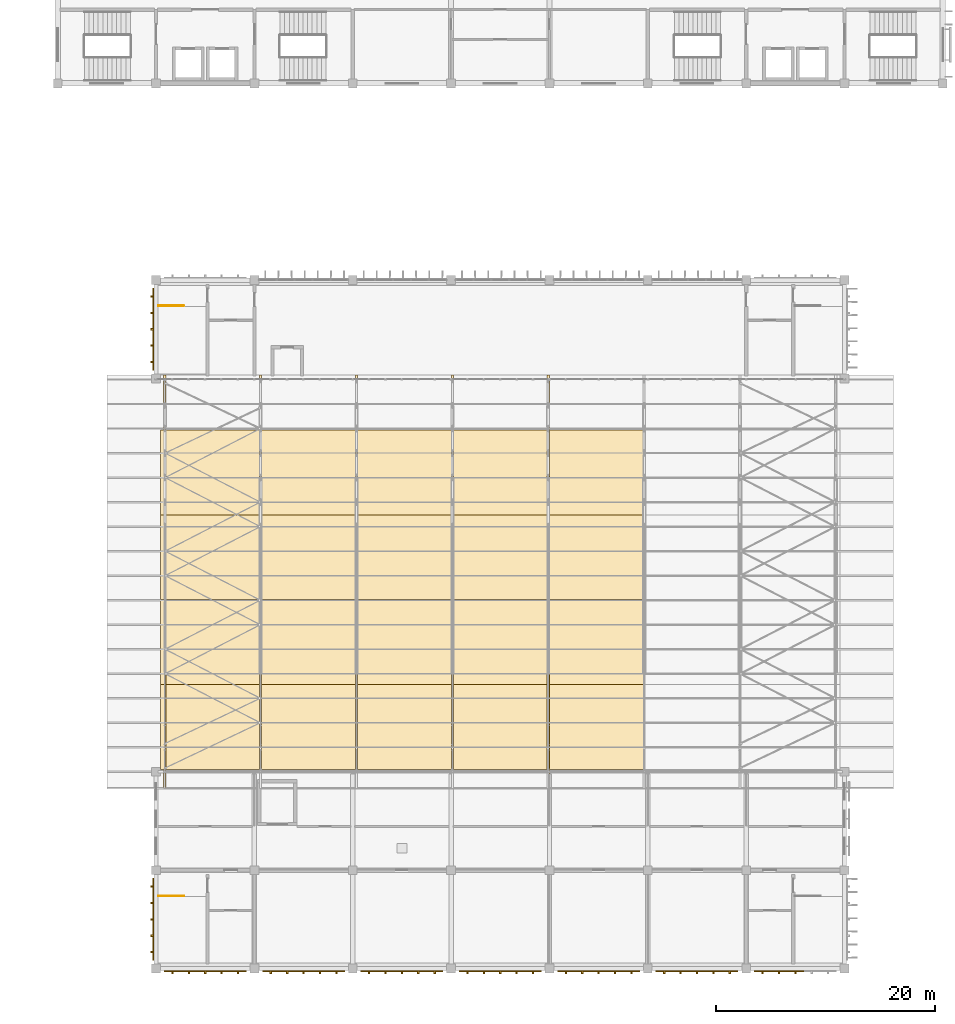
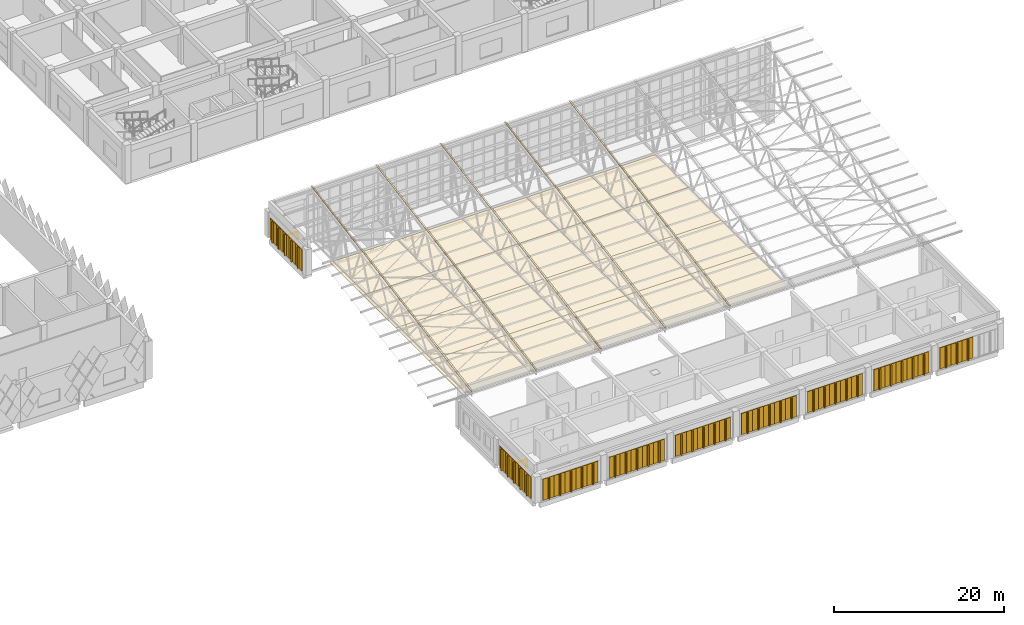
# One storey, part 179 of 185: 72 coverings, 2 railings.
"""IFC4 building model written with IfcOpenShell, lengths in metres."""

from ifc_helpers import new_model, si_unit, direction, frame, origin, origin_2d, place, context, subcontext, project, spatial, polyline, rectangle, circle, outline, extrude, material, layer, layer_set, constituent, constituent_set, type_object, element, save


model = new_model("IFC4")

# Units and contexts
model_context = context("Model", 3, precision=1e-05, world=origin(), true_north=direction((0.0, 1.0)))
body_context = subcontext(model_context, "Body", "Model", "MODEL_VIEW")
ifc_project = project(units=[si_unit("LENGTHUNIT", "METRE"), si_unit("AREAUNIT", "SQUARE_METRE"), si_unit("VOLUMEUNIT", "CUBIC_METRE"), si_unit("PLANEANGLEUNIT", "RADIAN"), si_unit("MASSUNIT", "GRAM", prefix="KILO")], contexts=[model_context])

# Site, building, storey
site_placement = place(None, origin())
site = spatial("IfcSite", under=ifc_project, at=site_placement, CompositionType="ELEMENT")
building_placement = place(site_placement, origin())
building = spatial("IfcBuilding", under=site, at=building_placement, Name="Opaline Strait Convention Centre", CompositionType="ELEMENT")
storey_placement = place(building_placement, frame((0.0, 0.0, 6.0)))
storey = spatial("IfcBuildingStorey", under=building, at=storey_placement, Name="L01", CompositionType="ELEMENT", Elevation=6.0)

# Railings
ifc_material_1 = material(Name="Steel Q235B", Category="steel")
ifc_constituent_1 = constituent(ifc_material_1, Name="Frame")
ifc_material_2 = material(Name="Safety glass, bonded interlayer", Category="glass")
ifc_constituent_2 = constituent(ifc_material_2, Name="Infill")
ifc_constituent_set = constituent_set(constituents=[ifc_constituent_1, ifc_constituent_2], Name="Steel Q235B, Safety glass, bonded interlayer")
railing_type = type_object("IfcRailingType", Name="Guard 1100 steel and glass", PredefinedType="GUARDRAIL", material=ifc_constituent_set)
for number, where, name in (
    (1, (288.199951171875, 69.64990234375, 0.0), "L01 B-STNW top well guard 1"),
    (2, (288.199951171875, 15.64990234375, 0.0), "L01 B-STSW top well guard 1"),
):
    element("IfcRailing", number, at=place(storey_placement, frame(where)), inside=storey, type_object=railing_type, Name=name, PredefinedType="GUARDRAIL", context=body_context, shape_type="SweptSolid", body=[
        extrude(circle(Radius=0.02392578125, at=origin_2d()), frame((0.0, 0.0, 1.076171875), z_axis=(1.0, 0.0, 0.0), x_axis=(0.0, 1.0, 0.0)), (0.0, 0.0, 1.0), 2.35009765625),
        extrude(circle(Radius=0.02099609375, at=origin_2d()), origin(), (0.0, 0.0, 1.0), 1.052001953125),
        extrude(circle(Radius=0.02099609375, at=origin_2d()), frame((1.175048828125, 0.0, 0.0)), (0.0, 0.0, 1.0), 1.052001953125),
        extrude(circle(Radius=0.02099609375, at=origin_2d()), frame((2.35009765625, 0.0, 0.0)), (0.0, 0.0, 1.0), 1.052001953125),
    ])

# Coverings
ifc_material_3 = material(Name="Acoustic mineral fibre ceiling panel, white")
ifc_layer_1 = layer(ifc_material_3, 0.10009765625)
ifc_layer_set_1 = layer_set([ifc_layer_1], Name="Acoustic mineral fibre ceiling panel, white")
covering_type_1 = type_object("IfcCoveringType", Name="Hall acoustic ceiling panel 100", PredefinedType="CEILING", material=ifc_layer_set_1)
for number, where, z_axis, x_axis, name in (
    (3, (288.60009765625, 31.08740234375, 4.224853515625), (0.0, 0.0, 1.0), (1.0, 0.0, 0.0), "BK1 hall ceiling panel 1.1"),
    (4, (288.60009765625, 38.862548828125, 4.224853515625), (0.0, 0.0, 1.0), (1.0, 0.0, 0.0), "BK1 hall ceiling panel 2.1"),
    (5, (288.60009765625, 46.637451171875, 4.224853515625), (0.0, 0.0, 1.0), (1.0, 0.0, 0.0), "BK1 hall ceiling panel 3.1"),
    (6, (288.60009765625, 54.41259765625, 4.224853515625), (0.0, 0.0, 1.0), (1.0, 0.0, 0.0), "BK1 hall ceiling panel 4.1"),
):
    element("IfcCovering", number, at=place(storey_placement, frame(where, z_axis=z_axis, x_axis=x_axis)), inside=storey, type_object=covering_type_1, Name=name, PredefinedType="CEILING", context=body_context, shape_type="SweptSolid", body=[
        extrude(rectangle(XDim=0.39990234375, YDim=7.77490234375, at=origin_2d()), origin(), (0.0, 0.0, 1.0), 0.10009765625),
    ])
for number, where, z_axis, x_axis, name in (
    (7, (293.185791015625, 31.08740234375, 4.224853515625), (0.0, 0.0, 1.0), (1.0, 0.0, 0.0), "BK1 hall ceiling panel 1.2"),
    (8, (293.185791015625, 38.862548828125, 4.224853515625), (0.0, 0.0, 1.0), (1.0, 0.0, 0.0), "BK1 hall ceiling panel 2.2"),
    (9, (293.185791015625, 46.637451171875, 4.224853515625), (0.0, 0.0, 1.0), (1.0, 0.0, 0.0), "BK1 hall ceiling panel 3.2"),
    (10, (293.185791015625, 54.41259765625, 4.224853515625), (0.0, 0.0, 1.0), (1.0, 0.0, 0.0), "BK1 hall ceiling panel 4.2"),
    (11, (301.95703125, 31.08740234375, 4.224853515625), (0.0, 0.0, 1.0), (1.0, 0.0, 0.0), "BK1 hall ceiling panel 1.3"),
    (12, (301.95703125, 38.862548828125, 4.224853515625), (0.0, 0.0, 1.0), (1.0, 0.0, 0.0), "BK1 hall ceiling panel 2.3"),
    (13, (301.95703125, 46.637451171875, 4.224853515625), (0.0, 0.0, 1.0), (1.0, 0.0, 0.0), "BK1 hall ceiling panel 3.3"),
    (14, (301.95703125, 54.41259765625, 4.224853515625), (0.0, 0.0, 1.0), (1.0, 0.0, 0.0), "BK1 hall ceiling panel 4.3"),
    (15, (310.728515625, 31.08740234375, 4.224853515625), (0.0, 0.0, 1.0), (1.0, 0.0, 0.0), "BK1 hall ceiling panel 1.4"),
    (16, (310.728515625, 38.862548828125, 4.224853515625), (0.0, 0.0, 1.0), (1.0, 0.0, 0.0), "BK1 hall ceiling panel 2.4"),
    (17, (310.728515625, 46.637451171875, 4.224853515625), (0.0, 0.0, 1.0), (1.0, 0.0, 0.0), "BK1 hall ceiling panel 3.4"),
    (18, (310.728515625, 54.41259765625, 4.224853515625), (0.0, 0.0, 1.0), (1.0, 0.0, 0.0), "BK1 hall ceiling panel 4.4"),
    (19, (319.5, 31.08740234375, 4.224853515625), (0.0, 0.0, 1.0), (1.0, 0.0, 0.0), "BK1 hall ceiling panel 1.5"),
    (20, (319.5, 38.862548828125, 4.224853515625), (0.0, 0.0, 1.0), (1.0, 0.0, 0.0), "BK1 hall ceiling panel 2.5"),
    (21, (319.5, 46.637451171875, 4.224853515625), (0.0, 0.0, 1.0), (1.0, 0.0, 0.0), "BK1 hall ceiling panel 3.5"),
    (22, (319.5, 54.41259765625, 4.224853515625), (0.0, 0.0, 1.0), (1.0, 0.0, 0.0), "BK1 hall ceiling panel 4.5"),
    (23, (328.271484375, 31.08740234375, 4.224853515625), (0.0, 0.0, 1.0), (1.0, 0.0, 0.0), "BK1 hall ceiling panel 1.6"),
    (24, (328.271484375, 38.862548828125, 4.224853515625), (0.0, 0.0, 1.0), (1.0, 0.0, 0.0), "BK1 hall ceiling panel 2.6"),
    (25, (328.271484375, 46.637451171875, 4.224853515625), (0.0, 0.0, 1.0), (1.0, 0.0, 0.0), "BK1 hall ceiling panel 3.6"),
    (26, (328.271484375, 54.41259765625, 4.224853515625), (0.0, 0.0, 1.0), (1.0, 0.0, 0.0), "BK1 hall ceiling panel 4.6"),
):
    element("IfcCovering", number, at=place(storey_placement, frame(where, z_axis=z_axis, x_axis=x_axis)), inside=storey, type_object=covering_type_1, Name=name, PredefinedType="CEILING", context=body_context, shape_type="SweptSolid", body=[
        extrude(rectangle(XDim=8.771484375, YDim=7.77490234375, at=origin_2d()), origin(), (0.0, 0.0, 1.0), 0.10009765625),
    ])
ifc_material_4 = material(Name="Concrete C40 precast white", Category="concrete")
ifc_layer_2 = layer(ifc_material_4, 0.300048828125)
ifc_layer_set_2 = layer_set([ifc_layer_2], Name="Concrete C40 precast white")
covering_type_2 = type_object("IfcCoveringType", Name="Ribbed precast panel white 1500", PredefinedType="CLADDING", material=ifc_layer_set_2)
covering_1_placement = place(storey_placement, origin())
element("IfcCovering", 27, at=covering_1_placement, inside=storey, type_object=covering_type_2, Name="Ribbed panel L01-W9 1", PredefinedType="CLADDING", context=body_context, shape_type="SweptSolid", body=[
    extrude(outline(polyline([(287.800048828125, 9.75), (287.800048828125, 11.25), (287.719970703125, 11.25), (287.719970703125, 10.574951171875), (287.5, 10.574951171875), (287.5, 10.425048828125), (287.719970703125, 10.425048828125), (287.719970703125, 9.75), (287.800048828125, 9.75)])), origin(), (0.0, 0.0, 1.0), 3.050048828125),
])
covering_2_placement = place(storey_placement, origin())
element("IfcCovering", 28, at=covering_2_placement, inside=storey, type_object=covering_type_2, Name="Ribbed panel L01-W9 2", PredefinedType="CLADDING", context=body_context, shape_type="SweptSolid", body=[
    extrude(outline(polyline([(287.800048828125, 11.25), (287.800048828125, 12.75), (287.719970703125, 12.75), (287.719970703125, 12.074951171875), (287.5, 12.074951171875), (287.5, 11.925048828125), (287.719970703125, 11.925048828125), (287.719970703125, 11.25), (287.800048828125, 11.25)])), origin(), (0.0, 0.0, 1.0), 3.050048828125),
])
covering_3_placement = place(storey_placement, origin())
element("IfcCovering", 29, at=covering_3_placement, inside=storey, type_object=covering_type_2, Name="Ribbed panel L01-W9 3", PredefinedType="CLADDING", context=body_context, shape_type="SweptSolid", body=[
    extrude(outline(polyline([(287.800048828125, 12.75), (287.800048828125, 14.25), (287.719970703125, 14.25), (287.719970703125, 13.574951171875), (287.5, 13.574951171875), (287.5, 13.425048828125), (287.719970703125, 13.425048828125), (287.719970703125, 12.75), (287.800048828125, 12.75)])), origin(), (0.0, 0.0, 1.0), 3.050048828125),
])
covering_4_placement = place(storey_placement, origin())
element("IfcCovering", 30, at=covering_4_placement, inside=storey, type_object=covering_type_2, Name="Ribbed panel L01-W9 4", PredefinedType="CLADDING", context=body_context, shape_type="SweptSolid", body=[
    extrude(outline(polyline([(287.800048828125, 14.25), (287.800048828125, 15.75), (287.719970703125, 15.75), (287.719970703125, 15.074951171875), (287.5, 15.074951171875), (287.5, 14.925048828125), (287.719970703125, 14.925048828125), (287.719970703125, 14.25), (287.800048828125, 14.25)])), origin(), (0.0, 0.0, 1.0), 3.050048828125),
])
covering_5_placement = place(storey_placement, origin())
element("IfcCovering", 31, at=covering_5_placement, inside=storey, type_object=covering_type_2, Name="Ribbed panel L01-W9 5", PredefinedType="CLADDING", context=body_context, shape_type="SweptSolid", body=[
    extrude(outline(polyline([(287.800048828125, 15.75), (287.800048828125, 17.25), (287.719970703125, 17.25), (287.719970703125, 16.574951171875), (287.5, 16.574951171875), (287.5, 16.425048828125), (287.719970703125, 16.425048828125), (287.719970703125, 15.75), (287.800048828125, 15.75)])), origin(), (0.0, 0.0, 1.0), 3.050048828125),
])
covering_6_placement = place(storey_placement, origin())
element("IfcCovering", 32, at=covering_6_placement, inside=storey, type_object=covering_type_2, Name="Ribbed panel L01-W63 1", PredefinedType="CLADDING", context=body_context, shape_type="SweptSolid", body=[
    extrude(outline(polyline([(287.800048828125, 63.75), (287.800048828125, 65.25), (287.719970703125, 65.25), (287.719970703125, 64.574951171875), (287.5, 64.574951171875), (287.5, 64.425048828125), (287.719970703125, 64.425048828125), (287.719970703125, 63.75), (287.800048828125, 63.75)])), origin(), (0.0, 0.0, 1.0), 3.050048828125),
])
covering_7_placement = place(storey_placement, origin())
element("IfcCovering", 33, at=covering_7_placement, inside=storey, type_object=covering_type_2, Name="Ribbed panel L01-W63 2", PredefinedType="CLADDING", context=body_context, shape_type="SweptSolid", body=[
    extrude(outline(polyline([(287.800048828125, 65.25), (287.800048828125, 66.75), (287.719970703125, 66.75), (287.719970703125, 66.074951171875), (287.5, 66.074951171875), (287.5, 65.925048828125), (287.719970703125, 65.925048828125), (287.719970703125, 65.25), (287.800048828125, 65.25)])), origin(), (0.0, 0.0, 1.0), 3.050048828125),
])
covering_8_placement = place(storey_placement, origin())
element("IfcCovering", 34, at=covering_8_placement, inside=storey, type_object=covering_type_2, Name="Ribbed panel L01-W63 3", PredefinedType="CLADDING", context=body_context, shape_type="SweptSolid", body=[
    extrude(outline(polyline([(287.800048828125, 66.75), (287.800048828125, 68.25), (287.719970703125, 68.25), (287.719970703125, 67.574951171875), (287.5, 67.574951171875), (287.5, 67.425048828125), (287.719970703125, 67.425048828125), (287.719970703125, 66.75), (287.800048828125, 66.75)])), origin(), (0.0, 0.0, 1.0), 3.050048828125),
])
covering_9_placement = place(storey_placement, origin())
element("IfcCovering", 35, at=covering_9_placement, inside=storey, type_object=covering_type_2, Name="Ribbed panel L01-W63 4", PredefinedType="CLADDING", context=body_context, shape_type="SweptSolid", body=[
    extrude(outline(polyline([(287.800048828125, 68.25), (287.800048828125, 69.75), (287.719970703125, 69.75), (287.719970703125, 69.074951171875), (287.5, 69.074951171875), (287.5, 68.925048828125), (287.719970703125, 68.925048828125), (287.719970703125, 68.25), (287.800048828125, 68.25)])), origin(), (0.0, 0.0, 1.0), 3.050048828125),
])
covering_10_placement = place(storey_placement, origin())
element("IfcCovering", 36, at=covering_10_placement, inside=storey, type_object=covering_type_2, Name="Ribbed panel L01-W63 5", PredefinedType="CLADDING", context=body_context, shape_type="SweptSolid", body=[
    extrude(outline(polyline([(287.800048828125, 69.75), (287.800048828125, 71.25), (287.719970703125, 71.25), (287.719970703125, 70.574951171875), (287.5, 70.574951171875), (287.5, 70.425048828125), (287.719970703125, 70.425048828125), (287.719970703125, 69.75), (287.800048828125, 69.75)])), origin(), (0.0, 0.0, 1.0), 3.050048828125),
])
covering_11_placement = place(storey_placement, origin())
element("IfcCovering", 37, at=covering_11_placement, inside=storey, type_object=covering_type_2, Name="Ribbed panel L01-S0 1", PredefinedType="CLADDING", context=body_context, shape_type="SweptSolid", body=[
    extrude(outline(polyline([(288.75, 8.800048828125), (290.25, 8.800048828125), (290.25, 8.719970703125), (289.574951171875, 8.719970703125), (289.574951171875, 8.5), (289.425048828125, 8.5), (289.425048828125, 8.719970703125), (288.75, 8.719970703125), (288.75, 8.800048828125)])), origin(), (0.0, 0.0, 1.0), 3.050048828125),
])
covering_12_placement = place(storey_placement, origin())
element("IfcCovering", 38, at=covering_12_placement, inside=storey, type_object=covering_type_2, Name="Ribbed panel L01-S0 2", PredefinedType="CLADDING", context=body_context, shape_type="SweptSolid", body=[
    extrude(outline(polyline([(290.25, 8.800048828125), (291.75, 8.800048828125), (291.75, 8.719970703125), (291.074951171875, 8.719970703125), (291.074951171875, 8.5), (290.925048828125, 8.5), (290.925048828125, 8.719970703125), (290.25, 8.719970703125), (290.25, 8.800048828125)])), origin(), (0.0, 0.0, 1.0), 3.050048828125),
])
covering_13_placement = place(storey_placement, origin())
element("IfcCovering", 39, at=covering_13_placement, inside=storey, type_object=covering_type_2, Name="Ribbed panel L01-S0 3", PredefinedType="CLADDING", context=body_context, shape_type="SweptSolid", body=[
    extrude(outline(polyline([(291.75, 8.800048828125), (293.25, 8.800048828125), (293.25, 8.719970703125), (292.574951171875, 8.719970703125), (292.574951171875, 8.5), (292.425048828125, 8.5), (292.425048828125, 8.719970703125), (291.75, 8.719970703125), (291.75, 8.800048828125)])), origin(), (0.0, 0.0, 1.0), 3.050048828125),
])
covering_14_placement = place(storey_placement, origin())
element("IfcCovering", 40, at=covering_14_placement, inside=storey, type_object=covering_type_2, Name="Ribbed panel L01-S0 4", PredefinedType="CLADDING", context=body_context, shape_type="SweptSolid", body=[
    extrude(outline(polyline([(293.25, 8.800048828125), (294.75, 8.800048828125), (294.75, 8.719970703125), (294.074951171875, 8.719970703125), (294.074951171875, 8.5), (293.925048828125, 8.5), (293.925048828125, 8.719970703125), (293.25, 8.719970703125), (293.25, 8.800048828125)])), origin(), (0.0, 0.0, 1.0), 3.050048828125),
])
covering_15_placement = place(storey_placement, origin())
element("IfcCovering", 41, at=covering_15_placement, inside=storey, type_object=covering_type_2, Name="Ribbed panel L01-S0 5", PredefinedType="CLADDING", context=body_context, shape_type="SweptSolid", body=[
    extrude(outline(polyline([(294.75, 8.800048828125), (296.25, 8.800048828125), (296.25, 8.719970703125), (295.574951171875, 8.719970703125), (295.574951171875, 8.5), (295.425048828125, 8.5), (295.425048828125, 8.719970703125), (294.75, 8.719970703125), (294.75, 8.800048828125)])), origin(), (0.0, 0.0, 1.0), 3.050048828125),
])
covering_16_placement = place(storey_placement, origin())
element("IfcCovering", 42, at=covering_16_placement, inside=storey, type_object=covering_type_2, Name="Ribbed panel L01-S1 1", PredefinedType="CLADDING", context=body_context, shape_type="SweptSolid", body=[
    extrude(outline(polyline([(297.75, 8.800048828125), (299.25, 8.800048828125), (299.25, 8.719970703125), (298.574951171875, 8.719970703125), (298.574951171875, 8.5), (298.425048828125, 8.5), (298.425048828125, 8.719970703125), (297.75, 8.719970703125), (297.75, 8.800048828125)])), origin(), (0.0, 0.0, 1.0), 3.050048828125),
])
covering_17_placement = place(storey_placement, origin())
element("IfcCovering", 43, at=covering_17_placement, inside=storey, type_object=covering_type_2, Name="Ribbed panel L01-S1 2", PredefinedType="CLADDING", context=body_context, shape_type="SweptSolid", body=[
    extrude(outline(polyline([(299.25, 8.800048828125), (300.75, 8.800048828125), (300.75, 8.719970703125), (300.074951171875, 8.719970703125), (300.074951171875, 8.5), (299.925048828125, 8.5), (299.925048828125, 8.719970703125), (299.25, 8.719970703125), (299.25, 8.800048828125)])), origin(), (0.0, 0.0, 1.0), 3.050048828125),
])
covering_18_placement = place(storey_placement, origin())
element("IfcCovering", 44, at=covering_18_placement, inside=storey, type_object=covering_type_2, Name="Ribbed panel L01-S1 3", PredefinedType="CLADDING", context=body_context, shape_type="SweptSolid", body=[
    extrude(outline(polyline([(300.75, 8.800048828125), (302.25, 8.800048828125), (302.25, 8.719970703125), (301.574951171875, 8.719970703125), (301.574951171875, 8.5), (301.425048828125, 8.5), (301.425048828125, 8.719970703125), (300.75, 8.719970703125), (300.75, 8.800048828125)])), origin(), (0.0, 0.0, 1.0), 3.050048828125),
])
covering_19_placement = place(storey_placement, origin())
element("IfcCovering", 45, at=covering_19_placement, inside=storey, type_object=covering_type_2, Name="Ribbed panel L01-S1 4", PredefinedType="CLADDING", context=body_context, shape_type="SweptSolid", body=[
    extrude(outline(polyline([(302.25, 8.800048828125), (303.75, 8.800048828125), (303.75, 8.719970703125), (303.074951171875, 8.719970703125), (303.074951171875, 8.5), (302.925048828125, 8.5), (302.925048828125, 8.719970703125), (302.25, 8.719970703125), (302.25, 8.800048828125)])), origin(), (0.0, 0.0, 1.0), 3.050048828125),
])
covering_20_placement = place(storey_placement, origin())
element("IfcCovering", 46, at=covering_20_placement, inside=storey, type_object=covering_type_2, Name="Ribbed panel L01-S1 5", PredefinedType="CLADDING", context=body_context, shape_type="SweptSolid", body=[
    extrude(outline(polyline([(303.75, 8.800048828125), (305.25, 8.800048828125), (305.25, 8.719970703125), (304.574951171875, 8.719970703125), (304.574951171875, 8.5), (304.425048828125, 8.5), (304.425048828125, 8.719970703125), (303.75, 8.719970703125), (303.75, 8.800048828125)])), origin(), (0.0, 0.0, 1.0), 3.050048828125),
])
covering_21_placement = place(storey_placement, origin())
element("IfcCovering", 47, at=covering_21_placement, inside=storey, type_object=covering_type_2, Name="Ribbed panel L01-S2 1", PredefinedType="CLADDING", context=body_context, shape_type="SweptSolid", body=[
    extrude(outline(polyline([(306.75, 8.800048828125), (308.25, 8.800048828125), (308.25, 8.719970703125), (307.574951171875, 8.719970703125), (307.574951171875, 8.5), (307.425048828125, 8.5), (307.425048828125, 8.719970703125), (306.75, 8.719970703125), (306.75, 8.800048828125)])), origin(), (0.0, 0.0, 1.0), 3.050048828125),
])
covering_22_placement = place(storey_placement, origin())
element("IfcCovering", 48, at=covering_22_placement, inside=storey, type_object=covering_type_2, Name="Ribbed panel L01-S2 2", PredefinedType="CLADDING", context=body_context, shape_type="SweptSolid", body=[
    extrude(outline(polyline([(308.25, 8.800048828125), (309.75, 8.800048828125), (309.75, 8.719970703125), (309.074951171875, 8.719970703125), (309.074951171875, 8.5), (308.925048828125, 8.5), (308.925048828125, 8.719970703125), (308.25, 8.719970703125), (308.25, 8.800048828125)])), origin(), (0.0, 0.0, 1.0), 3.050048828125),
])
covering_23_placement = place(storey_placement, origin())
element("IfcCovering", 49, at=covering_23_placement, inside=storey, type_object=covering_type_2, Name="Ribbed panel L01-S2 3", PredefinedType="CLADDING", context=body_context, shape_type="SweptSolid", body=[
    extrude(outline(polyline([(309.75, 8.800048828125), (311.25, 8.800048828125), (311.25, 8.719970703125), (310.574951171875, 8.719970703125), (310.574951171875, 8.5), (310.425048828125, 8.5), (310.425048828125, 8.719970703125), (309.75, 8.719970703125), (309.75, 8.800048828125)])), origin(), (0.0, 0.0, 1.0), 3.050048828125),
])
covering_24_placement = place(storey_placement, origin())
element("IfcCovering", 50, at=covering_24_placement, inside=storey, type_object=covering_type_2, Name="Ribbed panel L01-S2 4", PredefinedType="CLADDING", context=body_context, shape_type="SweptSolid", body=[
    extrude(outline(polyline([(311.25, 8.800048828125), (312.75, 8.800048828125), (312.75, 8.719970703125), (312.074951171875, 8.719970703125), (312.074951171875, 8.5), (311.925048828125, 8.5), (311.925048828125, 8.719970703125), (311.25, 8.719970703125), (311.25, 8.800048828125)])), origin(), (0.0, 0.0, 1.0), 3.050048828125),
])
covering_25_placement = place(storey_placement, origin())
element("IfcCovering", 51, at=covering_25_placement, inside=storey, type_object=covering_type_2, Name="Ribbed panel L01-S2 5", PredefinedType="CLADDING", context=body_context, shape_type="SweptSolid", body=[
    extrude(outline(polyline([(312.75, 8.800048828125), (314.25, 8.800048828125), (314.25, 8.719970703125), (313.574951171875, 8.719970703125), (313.574951171875, 8.5), (313.425048828125, 8.5), (313.425048828125, 8.719970703125), (312.75, 8.719970703125), (312.75, 8.800048828125)])), origin(), (0.0, 0.0, 1.0), 3.050048828125),
])
covering_26_placement = place(storey_placement, origin())
element("IfcCovering", 52, at=covering_26_placement, inside=storey, type_object=covering_type_2, Name="Ribbed panel L01-S3 1", PredefinedType="CLADDING", context=body_context, shape_type="SweptSolid", body=[
    extrude(outline(polyline([(315.75, 8.800048828125), (317.25, 8.800048828125), (317.25, 8.719970703125), (316.574951171875, 8.719970703125), (316.574951171875, 8.5), (316.425048828125, 8.5), (316.425048828125, 8.719970703125), (315.75, 8.719970703125), (315.75, 8.800048828125)])), origin(), (0.0, 0.0, 1.0), 3.050048828125),
])
covering_27_placement = place(storey_placement, origin())
element("IfcCovering", 53, at=covering_27_placement, inside=storey, type_object=covering_type_2, Name="Ribbed panel L01-S3 2", PredefinedType="CLADDING", context=body_context, shape_type="SweptSolid", body=[
    extrude(outline(polyline([(317.25, 8.800048828125), (318.75, 8.800048828125), (318.75, 8.719970703125), (318.074951171875, 8.719970703125), (318.074951171875, 8.5), (317.925048828125, 8.5), (317.925048828125, 8.719970703125), (317.25, 8.719970703125), (317.25, 8.800048828125)])), origin(), (0.0, 0.0, 1.0), 3.050048828125),
])
covering_28_placement = place(storey_placement, origin())
element("IfcCovering", 54, at=covering_28_placement, inside=storey, type_object=covering_type_2, Name="Ribbed panel L01-S3 3", PredefinedType="CLADDING", context=body_context, shape_type="SweptSolid", body=[
    extrude(outline(polyline([(318.75, 8.800048828125), (320.25, 8.800048828125), (320.25, 8.719970703125), (319.574951171875, 8.719970703125), (319.574951171875, 8.5), (319.425048828125, 8.5), (319.425048828125, 8.719970703125), (318.75, 8.719970703125), (318.75, 8.800048828125)])), origin(), (0.0, 0.0, 1.0), 3.050048828125),
])
covering_29_placement = place(storey_placement, origin())
element("IfcCovering", 55, at=covering_29_placement, inside=storey, type_object=covering_type_2, Name="Ribbed panel L01-S3 4", PredefinedType="CLADDING", context=body_context, shape_type="SweptSolid", body=[
    extrude(outline(polyline([(320.25, 8.800048828125), (321.75, 8.800048828125), (321.75, 8.719970703125), (321.074951171875, 8.719970703125), (321.074951171875, 8.5), (320.925048828125, 8.5), (320.925048828125, 8.719970703125), (320.25, 8.719970703125), (320.25, 8.800048828125)])), origin(), (0.0, 0.0, 1.0), 3.050048828125),
])
covering_30_placement = place(storey_placement, origin())
element("IfcCovering", 56, at=covering_30_placement, inside=storey, type_object=covering_type_2, Name="Ribbed panel L01-S3 5", PredefinedType="CLADDING", context=body_context, shape_type="SweptSolid", body=[
    extrude(outline(polyline([(321.75, 8.800048828125), (323.25, 8.800048828125), (323.25, 8.719970703125), (322.574951171875, 8.719970703125), (322.574951171875, 8.5), (322.425048828125, 8.5), (322.425048828125, 8.719970703125), (321.75, 8.719970703125), (321.75, 8.800048828125)])), origin(), (0.0, 0.0, 1.0), 3.050048828125),
])
covering_31_placement = place(storey_placement, origin())
element("IfcCovering", 57, at=covering_31_placement, inside=storey, type_object=covering_type_2, Name="Ribbed panel L01-S4 1", PredefinedType="CLADDING", context=body_context, shape_type="SweptSolid", body=[
    extrude(outline(polyline([(324.75, 8.800048828125), (326.25, 8.800048828125), (326.25, 8.719970703125), (325.574951171875, 8.719970703125), (325.574951171875, 8.5), (325.425048828125, 8.5), (325.425048828125, 8.719970703125), (324.75, 8.719970703125), (324.75, 8.800048828125)])), origin(), (0.0, 0.0, 1.0), 3.050048828125),
])
covering_32_placement = place(storey_placement, origin())
element("IfcCovering", 58, at=covering_32_placement, inside=storey, type_object=covering_type_2, Name="Ribbed panel L01-S4 2", PredefinedType="CLADDING", context=body_context, shape_type="SweptSolid", body=[
    extrude(outline(polyline([(326.25, 8.800048828125), (327.75, 8.800048828125), (327.75, 8.719970703125), (327.074951171875, 8.719970703125), (327.074951171875, 8.5), (326.925048828125, 8.5), (326.925048828125, 8.719970703125), (326.25, 8.719970703125), (326.25, 8.800048828125)])), origin(), (0.0, 0.0, 1.0), 3.050048828125),
])
covering_33_placement = place(storey_placement, origin())
element("IfcCovering", 59, at=covering_33_placement, inside=storey, type_object=covering_type_2, Name="Ribbed panel L01-S4 3", PredefinedType="CLADDING", context=body_context, shape_type="SweptSolid", body=[
    extrude(outline(polyline([(327.75, 8.800048828125), (329.25, 8.800048828125), (329.25, 8.719970703125), (328.574951171875, 8.719970703125), (328.574951171875, 8.5), (328.425048828125, 8.5), (328.425048828125, 8.719970703125), (327.75, 8.719970703125), (327.75, 8.800048828125)])), origin(), (0.0, 0.0, 1.0), 3.050048828125),
])
covering_34_placement = place(storey_placement, origin())
element("IfcCovering", 60, at=covering_34_placement, inside=storey, type_object=covering_type_2, Name="Ribbed panel L01-S4 4", PredefinedType="CLADDING", context=body_context, shape_type="SweptSolid", body=[
    extrude(outline(polyline([(329.25, 8.800048828125), (330.75, 8.800048828125), (330.75, 8.719970703125), (330.074951171875, 8.719970703125), (330.074951171875, 8.5), (329.925048828125, 8.5), (329.925048828125, 8.719970703125), (329.25, 8.719970703125), (329.25, 8.800048828125)])), origin(), (0.0, 0.0, 1.0), 3.050048828125),
])
covering_35_placement = place(storey_placement, origin())
element("IfcCovering", 61, at=covering_35_placement, inside=storey, type_object=covering_type_2, Name="Ribbed panel L01-S4 5", PredefinedType="CLADDING", context=body_context, shape_type="SweptSolid", body=[
    extrude(outline(polyline([(330.75, 8.800048828125), (332.25, 8.800048828125), (332.25, 8.719970703125), (331.574951171875, 8.719970703125), (331.574951171875, 8.5), (331.425048828125, 8.5), (331.425048828125, 8.719970703125), (330.75, 8.719970703125), (330.75, 8.800048828125)])), origin(), (0.0, 0.0, 1.0), 3.050048828125),
])
covering_36_placement = place(storey_placement, origin())
element("IfcCovering", 62, at=covering_36_placement, inside=storey, type_object=covering_type_2, Name="Ribbed panel L01-S5 1", PredefinedType="CLADDING", context=body_context, shape_type="SweptSolid", body=[
    extrude(outline(polyline([(333.75, 8.800048828125), (335.25, 8.800048828125), (335.25, 8.719970703125), (334.574951171875, 8.719970703125), (334.574951171875, 8.5), (334.425048828125, 8.5), (334.425048828125, 8.719970703125), (333.75, 8.719970703125), (333.75, 8.800048828125)])), origin(), (0.0, 0.0, 1.0), 3.050048828125),
])
covering_37_placement = place(storey_placement, origin())
element("IfcCovering", 63, at=covering_37_placement, inside=storey, type_object=covering_type_2, Name="Ribbed panel L01-S5 2", PredefinedType="CLADDING", context=body_context, shape_type="SweptSolid", body=[
    extrude(outline(polyline([(335.25, 8.800048828125), (336.75, 8.800048828125), (336.75, 8.719970703125), (336.074951171875, 8.719970703125), (336.074951171875, 8.5), (335.925048828125, 8.5), (335.925048828125, 8.719970703125), (335.25, 8.719970703125), (335.25, 8.800048828125)])), origin(), (0.0, 0.0, 1.0), 3.050048828125),
])
covering_38_placement = place(storey_placement, origin())
element("IfcCovering", 64, at=covering_38_placement, inside=storey, type_object=covering_type_2, Name="Ribbed panel L01-S5 3", PredefinedType="CLADDING", context=body_context, shape_type="SweptSolid", body=[
    extrude(outline(polyline([(336.75, 8.800048828125), (338.25, 8.800048828125), (338.25, 8.719970703125), (337.574951171875, 8.719970703125), (337.574951171875, 8.5), (337.425048828125, 8.5), (337.425048828125, 8.719970703125), (336.75, 8.719970703125), (336.75, 8.800048828125)])), origin(), (0.0, 0.0, 1.0), 3.050048828125),
])
covering_39_placement = place(storey_placement, origin())
element("IfcCovering", 65, at=covering_39_placement, inside=storey, type_object=covering_type_2, Name="Ribbed panel L01-S5 4", PredefinedType="CLADDING", context=body_context, shape_type="SweptSolid", body=[
    extrude(outline(polyline([(338.25, 8.800048828125), (339.75, 8.800048828125), (339.75, 8.719970703125), (339.074951171875, 8.719970703125), (339.074951171875, 8.5), (338.925048828125, 8.5), (338.925048828125, 8.719970703125), (338.25, 8.719970703125), (338.25, 8.800048828125)])), origin(), (0.0, 0.0, 1.0), 3.050048828125),
])
covering_40_placement = place(storey_placement, origin())
element("IfcCovering", 66, at=covering_40_placement, inside=storey, type_object=covering_type_2, Name="Ribbed panel L01-S5 5", PredefinedType="CLADDING", context=body_context, shape_type="SweptSolid", body=[
    extrude(outline(polyline([(339.75, 8.800048828125), (341.25, 8.800048828125), (341.25, 8.719970703125), (340.574951171875, 8.719970703125), (340.574951171875, 8.5), (340.425048828125, 8.5), (340.425048828125, 8.719970703125), (339.75, 8.719970703125), (339.75, 8.800048828125)])), origin(), (0.0, 0.0, 1.0), 3.050048828125),
])
covering_41_placement = place(storey_placement, origin())
element("IfcCovering", 67, at=covering_41_placement, inside=storey, type_object=covering_type_2, Name="Ribbed panel L01-S6 1", PredefinedType="CLADDING", context=body_context, shape_type="SweptSolid", body=[
    extrude(outline(polyline([(342.75, 8.800048828125), (344.25, 8.800048828125), (344.25, 8.719970703125), (343.574951171875, 8.719970703125), (343.574951171875, 8.5), (343.425048828125, 8.5), (343.425048828125, 8.719970703125), (342.75, 8.719970703125), (342.75, 8.800048828125)])), origin(), (0.0, 0.0, 1.0), 3.050048828125),
])
covering_42_placement = place(storey_placement, origin())
element("IfcCovering", 68, at=covering_42_placement, inside=storey, type_object=covering_type_2, Name="Ribbed panel L01-S6 2", PredefinedType="CLADDING", context=body_context, shape_type="SweptSolid", body=[
    extrude(outline(polyline([(344.25, 8.800048828125), (345.75, 8.800048828125), (345.75, 8.719970703125), (345.074951171875, 8.719970703125), (345.074951171875, 8.5), (344.925048828125, 8.5), (344.925048828125, 8.719970703125), (344.25, 8.719970703125), (344.25, 8.800048828125)])), origin(), (0.0, 0.0, 1.0), 3.050048828125),
])
covering_43_placement = place(storey_placement, origin())
element("IfcCovering", 69, at=covering_43_placement, inside=storey, type_object=covering_type_2, Name="Ribbed panel L01-S6 3", PredefinedType="CLADDING", context=body_context, shape_type="SweptSolid", body=[
    extrude(outline(polyline([(345.75, 8.800048828125), (347.25, 8.800048828125), (347.25, 8.719970703125), (346.574951171875, 8.719970703125), (346.574951171875, 8.5), (346.425048828125, 8.5), (346.425048828125, 8.719970703125), (345.75, 8.719970703125), (345.75, 8.800048828125)])), origin(), (0.0, 0.0, 1.0), 3.050048828125),
])
ifc_material_5 = material(Name="Standing seam roofing, white aluminium", Category="aluminium")
ifc_layer_3 = layer(ifc_material_5, 0.02001953125)
ifc_layer_set_3 = layer_set([ifc_layer_3], Name="Standing seam roofing, white aluminium")
covering_type_3 = type_object("IfcCoveringType", Name="Roof seam cap 200 x 20", PredefinedType="ROOFING", material=ifc_layer_set_3)
for number, where, z_axis, x_axis, name in (
    (70, (288.699951171875, 25.5, 5.49951171875), (0.0, -0.173651076417, 0.98480724188), (1.0, 0.0, 0.0), "BSC1 roof seam cap 1"),
    (71, (297.471435546875, 25.5, 5.49951171875), (0.0, -0.173651076417, 0.98480724188), (1.0, 0.0, 0.0), "BSC1 roof seam cap 2"),
    (72, (306.242919921875, 25.5, 5.49951171875), (0.0, -0.173651076417, 0.98480724188), (1.0, 0.0, 0.0), "BSC1 roof seam cap 3"),
    (73, (315.014404296875, 25.5, 5.49951171875), (0.0, -0.173651076417, 0.98480724188), (1.0, 0.0, 0.0), "BSC1 roof seam cap 4"),
    (74, (323.78564453125, 25.5, 5.49951171875), (0.0, -0.173651076417, 0.98480724188), (1.0, 0.0, 0.0), "BSC1 roof seam cap 5"),
):
    element("IfcCovering", number, at=place(storey_placement, frame(where, z_axis=z_axis, x_axis=x_axis)), inside=storey, type_object=covering_type_3, Name=name, PredefinedType="ROOFING", context=body_context, shape_type="SweptSolid", body=[
        extrude(outline(polyline([(0.0, 0.0), (0.199951171875, 0.0), (0.199951171875, 38.383195432200466), (0.0, 38.383195432200466), (0.0, 0.0)])), origin(), (0.0, 0.0, -1.0), 0.02001953125),
    ])

save(model, "model.ifc")
